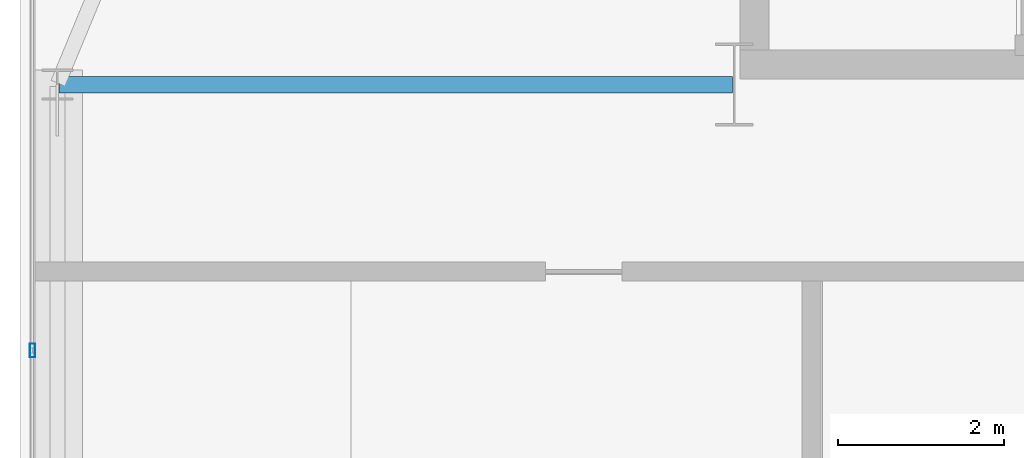
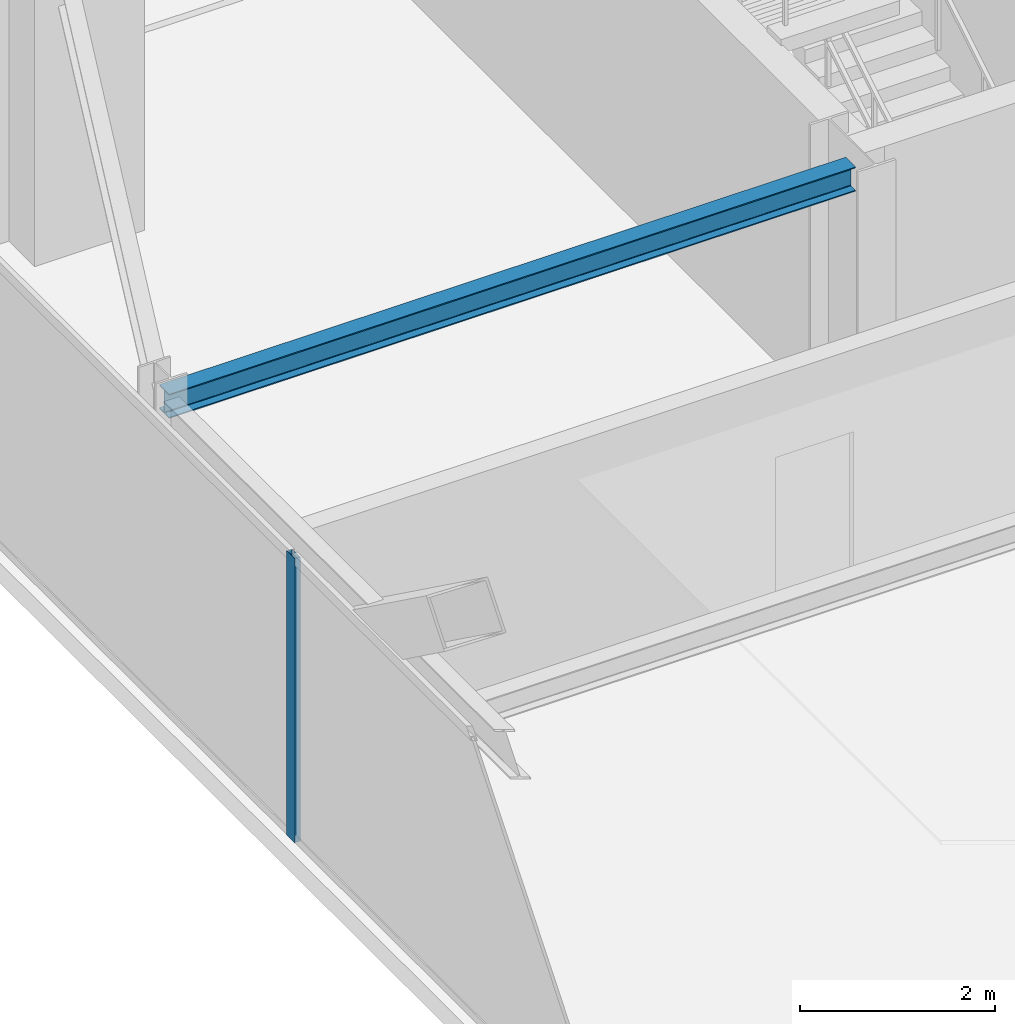
# One storey, part 11 of 33: 1 beam, 1 member, 1 element without a shape of its own.
"""IFC4 building model written with IfcOpenShell, lengths in metres."""

from ifc_helpers import new_model, si_unit, direction, frame, origin, origin_2d, place, context, subcontext, project, spatial, hollow_rectangle, i_section, extrude, source, transform, mapped, material, layer, layer_set, material_profile, profile_set, type_object, type_shapes, element, aggregate, save


model = new_model("IFC4")

# Units and contexts
model_context = context("Model", 3, precision=1e-05, world=origin(), true_north=direction((0.0, 1.0)))
body_context = subcontext(model_context, "Body", "Model", "MODEL_VIEW")
ifc_project = project(units=[si_unit("LENGTHUNIT", "METRE"), si_unit("AREAUNIT", "SQUARE_METRE"), si_unit("VOLUMEUNIT", "CUBIC_METRE"), si_unit("PLANEANGLEUNIT", "RADIAN"), si_unit("MASSUNIT", "GRAM", prefix="KILO")], contexts=[model_context])

# Site, building, storey
site_placement = place(None, origin())
site = spatial("IfcSite", under=ifc_project, at=site_placement, CompositionType="ELEMENT")
building_placement = place(site_placement, origin())
building = spatial("IfcBuilding", under=site, at=building_placement, Name="Varnel Quay Broadcast Tower", CompositionType="ELEMENT")
storey_placement = place(building_placement, frame((0.0, 0.0, 145.800048828125)))
storey = spatial("IfcBuildingStorey", under=building, at=storey_placement, Name="L35", CompositionType="ELEMENT", Elevation=145.800048828125)

# Beam
ifc_material_1 = material(Name="Structural Steel CSA G40.21 350W", Category="steel")
ifc_material_profile_1 = material_profile(ifc_material_1, i_section(OverallWidth=0.202880859375, OverallDepth=0.302978515625, WebThickness=0.007568359375, FlangeThickness=0.01318359375, FilletRadius=0.011962890625, at=origin_2d()), Name="W310X60")
ifc_profile_set_1 = profile_set([ifc_material_profile_1], Name="Structural Steel CSA G40.21 350W")
beam_type = type_object("IfcBeamType", Name="Beam_W310X60", PredefinedType="JOIST", material=ifc_profile_set_1)
shared_shape_1 = source(origin(), body_context, "Body", "SweptSolid", [
    extrude(i_section(OverallWidth=0.202880859375, OverallDepth=0.302978515625, WebThickness=0.007568359375, FlangeThickness=0.01318359375, FilletRadius=0.011962890625, at=origin_2d()), origin(), (0.0, 0.0, 1.0), 8.110107421875),
])
type_shapes(beam_type, [shared_shape_1])
beam_placement = place(storey_placement, frame((7.469970703125, 35.60009765625, 3.3984375), z_axis=(1.0, 0.0, 0.0), x_axis=(0.0, 1.0, 0.0)))
element("IfcBeam", 1, at=beam_placement, inside=storey, type_object=beam_type, Name="L35 West Core Tie Joist", PredefinedType="JOIST", context=body_context, shape_type="MappedRepresentation", body=[
    mapped(shared_shape_1, transform((0.0, 0.0, 0.0), x_axis=(1.0, 0.0, 0.0), y_axis=(0.0, 1.0, 0.0), z_axis=(0.0, 0.0, 1.0), scale=1.0)),
])

# Curtain wall, member
ifc_material_2 = material(Name="Anodised Bronze Aluminium 6063-T6", Category="aluminium")
ifc_layer = layer(ifc_material_2, 0.18994140625, Name="Anodised Bronze Aluminium 6063-T6")
ifc_layer_set = layer_set([ifc_layer], Name="Anodised Bronze Aluminium 6063-T6")
curtain_wall_type = type_object("IfcCurtainWallType", Name="CW_UpperTower", PredefinedType="NOTDEFINED", material=ifc_layer_set)
curtain_wall_placement = place(storey_placement, origin())
curtain_wall = element("IfcCurtainWall", 2, at=curtain_wall_placement, inside=storey, type_object=curtain_wall_type, Name="L35 West Unitised Curtain Wall", PredefinedType="NOTDEFINED")
ifc_material_profile_2 = material_profile(ifc_material_2, hollow_rectangle(XDim=0.06494140625, YDim=0.1650390625, WallThickness=0.00341796875, at=origin_2d()), Name="ALU65X165X3.5")
ifc_profile_set_2 = profile_set([ifc_material_profile_2], Name="Anodised Bronze Aluminium 6063-T6")
member_type = type_object("IfcMemberType", Name="Mull_CWS-03", PredefinedType="MULLION", material=ifc_profile_set_2)
shared_shape_2 = source(origin(), body_context, "Body", "SweptSolid", [
    extrude(hollow_rectangle(XDim=0.06494140625, YDim=0.1650390625, WallThickness=0.00341796875, at=origin_2d()), origin(), (0.0, 0.0, 1.0), 3.550048828125),
])
type_shapes(member_type, [shared_shape_2])
member_placement = place(storey_placement, frame((7.14990234375, 32.39990234375, 0.0), z_axis=(0.0, 0.0, 1.0), x_axis=(-1.0, 0.0, 0.0)))
member = element("IfcMember", 3, at=member_placement, type_object=member_type, Name="CWS-03 mullion 3", PredefinedType="MULLION", context=body_context, shape_type="MappedRepresentation", body=[
    mapped(shared_shape_2, transform((0.0, 0.0, 0.0), x_axis=(1.0, 0.0, 0.0), y_axis=(0.0, 1.0, 0.0), z_axis=(0.0, 0.0, 1.0), scale=1.0)),
])
aggregate(curtain_wall, [member])

save(model, "model.ifc")
